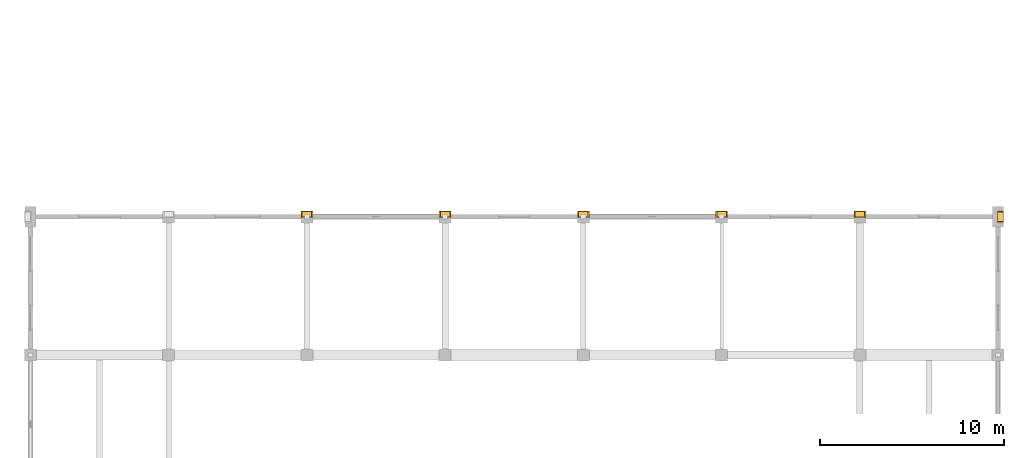
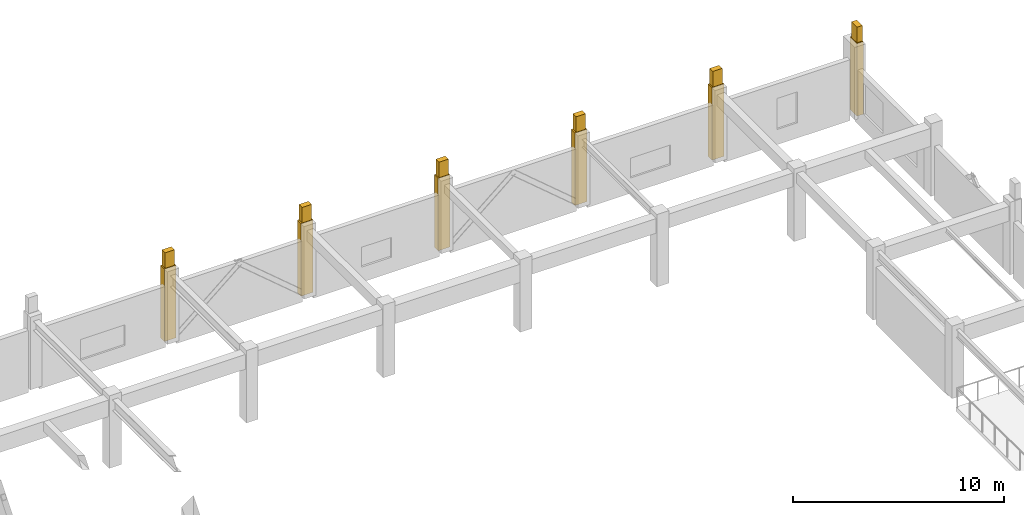
# One storey, part 51 of 51: 12 coverings.
"""IFC4 building model written with IfcOpenShell, lengths in metres."""

from ifc_helpers import new_model, si_unit, direction, frame, origin, origin_2d, place, context, subcontext, project, spatial, rectangle, extrude, material, layer, layer_set, type_object, element, save


model = new_model("IFC4")

# Units and contexts
model_context = context("Model", 3, precision=1e-05, world=origin(), true_north=direction((0.0, 1.0)))
body_context = subcontext(model_context, "Body", "Model", "MODEL_VIEW")
ifc_project = project(units=[si_unit("LENGTHUNIT", "METRE"), si_unit("AREAUNIT", "SQUARE_METRE"), si_unit("VOLUMEUNIT", "CUBIC_METRE"), si_unit("PLANEANGLEUNIT", "RADIAN"), si_unit("MASSUNIT", "GRAM", prefix="KILO")], contexts=[model_context])

# Site, building, storey
site_placement = place(None, origin())
site = spatial("IfcSite", under=ifc_project, at=site_placement, CompositionType="ELEMENT")
building_placement = place(site_placement, origin())
building = spatial("IfcBuilding", under=site, at=building_placement, Name="Qasida Concert Hall", CompositionType="ELEMENT")
storey_placement = place(building_placement, frame((0.0, 0.0, 21.0)))
storey = spatial("IfcBuildingStorey", under=building, at=storey_placement, Name="L05", CompositionType="ELEMENT", Elevation=21.0)

# Coverings
ifc_material = material(Name="Projecting fluted Lebanese limestone Art Deco pilaster", Category="masonry")
ifc_layer = layer(ifc_material, 0.35009765625, Name="Projecting fluted Lebanese limestone Art Deco pilaster")
ifc_layer_set = layer_set([ifc_layer], Name="Projecting fluted Lebanese limestone Art Deco pilaster")
covering_type = type_object("IfcCoveringType", Name="CV-PIL-650", PredefinedType="CLADDING", material=ifc_layer_set)
covering_1_placement = place(storey_placement, frame((105.135009765625, 82.5, 0.0), z_axis=(0.0, 0.0, 1.0), x_axis=(1.0, 0.0, 0.0)))
element("IfcCovering", 1, at=covering_1_placement, inside=storey, type_object=covering_type, Name="L05 fluted limestone pilaster 0097", PredefinedType="CLADDING", context=body_context, shape_type="SweptSolid", body=[
    extrude(rectangle(XDim=0.35009765625, YDim=0.64990234375, at=origin_2d()), origin(), (0.0, 0.0, 1.0), 4.199951171875),
])
covering_2_placement = place(storey_placement, frame((105.135009765625, 82.5, 4.199951171875), z_axis=(0.0, 0.0, 1.0), x_axis=(1.0, 0.0, 0.0)))
element("IfcCovering", 2, at=covering_2_placement, inside=storey, type_object=covering_type, Name="Stepped Art Deco pier finial 0098", PredefinedType="CLADDING", context=body_context, shape_type="SweptSolid", body=[
    extrude(rectangle(XDim=0.300048828125, YDim=0.52001953125, at=origin_2d()), origin(), (0.0, 0.0, 1.0), 0.89990234375),
])
covering_3_placement = place(storey_placement, frame((67.5, 82.635009765625, 0.0), z_axis=(0.0, 0.0, 1.0), x_axis=(1.0, 0.0, 0.0)))
element("IfcCovering", 3, at=covering_3_placement, inside=storey, type_object=covering_type, Name="L05 fluted limestone pilaster 0111", PredefinedType="CLADDING", context=body_context, shape_type="SweptSolid", body=[
    extrude(rectangle(XDim=0.64990234375, YDim=0.35009765625, at=origin_2d()), origin(), (0.0, 0.0, 1.0), 4.199951171875),
])
covering_4_placement = place(storey_placement, frame((67.5, 82.635009765625, 4.199951171875), z_axis=(0.0, 0.0, 1.0), x_axis=(1.0, 0.0, 0.0)))
element("IfcCovering", 4, at=covering_4_placement, inside=storey, type_object=covering_type, Name="Stepped Art Deco pier finial 0112", PredefinedType="CLADDING", context=body_context, shape_type="SweptSolid", body=[
    extrude(rectangle(XDim=0.52001953125, YDim=0.300048828125, at=origin_2d()), origin(), (0.0, 0.0, 1.0), 0.89990234375),
])
covering_5_placement = place(storey_placement, frame((75.0, 82.635009765625, 0.0), z_axis=(0.0, 0.0, 1.0), x_axis=(1.0, 0.0, 0.0)))
element("IfcCovering", 5, at=covering_5_placement, inside=storey, type_object=covering_type, Name="L05 fluted limestone pilaster 0118", PredefinedType="CLADDING", context=body_context, shape_type="SweptSolid", body=[
    extrude(rectangle(XDim=0.64990234375, YDim=0.35009765625, at=origin_2d()), origin(), (0.0, 0.0, 1.0), 4.199951171875),
])
covering_6_placement = place(storey_placement, frame((75.0, 82.635009765625, 4.199951171875), z_axis=(0.0, 0.0, 1.0), x_axis=(1.0, 0.0, 0.0)))
element("IfcCovering", 6, at=covering_6_placement, inside=storey, type_object=covering_type, Name="Stepped Art Deco pier finial 0119", PredefinedType="CLADDING", context=body_context, shape_type="SweptSolid", body=[
    extrude(rectangle(XDim=0.52001953125, YDim=0.300048828125, at=origin_2d()), origin(), (0.0, 0.0, 1.0), 0.89990234375),
])
covering_7_placement = place(storey_placement, frame((82.5, 82.635009765625, 0.0), z_axis=(0.0, 0.0, 1.0), x_axis=(1.0, 0.0, 0.0)))
element("IfcCovering", 7, at=covering_7_placement, inside=storey, type_object=covering_type, Name="L05 fluted limestone pilaster 0125", PredefinedType="CLADDING", context=body_context, shape_type="SweptSolid", body=[
    extrude(rectangle(XDim=0.64990234375, YDim=0.35009765625, at=origin_2d()), origin(), (0.0, 0.0, 1.0), 4.199951171875),
])
covering_8_placement = place(storey_placement, frame((82.5, 82.635009765625, 4.199951171875), z_axis=(0.0, 0.0, 1.0), x_axis=(1.0, 0.0, 0.0)))
element("IfcCovering", 8, at=covering_8_placement, inside=storey, type_object=covering_type, Name="Stepped Art Deco pier finial 0126", PredefinedType="CLADDING", context=body_context, shape_type="SweptSolid", body=[
    extrude(rectangle(XDim=0.52001953125, YDim=0.300048828125, at=origin_2d()), origin(), (0.0, 0.0, 1.0), 0.89990234375),
])
covering_9_placement = place(storey_placement, frame((90.0, 82.635009765625, 0.0), z_axis=(0.0, 0.0, 1.0), x_axis=(1.0, 0.0, 0.0)))
element("IfcCovering", 9, at=covering_9_placement, inside=storey, type_object=covering_type, Name="L05 fluted limestone pilaster 0132", PredefinedType="CLADDING", context=body_context, shape_type="SweptSolid", body=[
    extrude(rectangle(XDim=0.64990234375, YDim=0.35009765625, at=origin_2d()), origin(), (0.0, 0.0, 1.0), 4.199951171875),
])
covering_10_placement = place(storey_placement, frame((90.0, 82.635009765625, 4.199951171875), z_axis=(0.0, 0.0, 1.0), x_axis=(1.0, 0.0, 0.0)))
element("IfcCovering", 10, at=covering_10_placement, inside=storey, type_object=covering_type, Name="Stepped Art Deco pier finial 0133", PredefinedType="CLADDING", context=body_context, shape_type="SweptSolid", body=[
    extrude(rectangle(XDim=0.52001953125, YDim=0.300048828125, at=origin_2d()), origin(), (0.0, 0.0, 1.0), 0.89990234375),
])
covering_11_placement = place(storey_placement, frame((97.5, 82.635009765625, 0.0), z_axis=(0.0, 0.0, 1.0), x_axis=(1.0, 0.0, 0.0)))
element("IfcCovering", 11, at=covering_11_placement, inside=storey, type_object=covering_type, Name="L05 fluted limestone pilaster 0139", PredefinedType="CLADDING", context=body_context, shape_type="SweptSolid", body=[
    extrude(rectangle(XDim=0.64990234375, YDim=0.35009765625, at=origin_2d()), origin(), (0.0, 0.0, 1.0), 4.199951171875),
])
covering_12_placement = place(storey_placement, frame((97.5, 82.635009765625, 4.199951171875), z_axis=(0.0, 0.0, 1.0), x_axis=(1.0, 0.0, 0.0)))
element("IfcCovering", 12, at=covering_12_placement, inside=storey, type_object=covering_type, Name="Stepped Art Deco pier finial 0140", PredefinedType="CLADDING", context=body_context, shape_type="SweptSolid", body=[
    extrude(rectangle(XDim=0.52001953125, YDim=0.300048828125, at=origin_2d()), origin(), (0.0, 0.0, 1.0), 0.89990234375),
])

save(model, "model.ifc")
